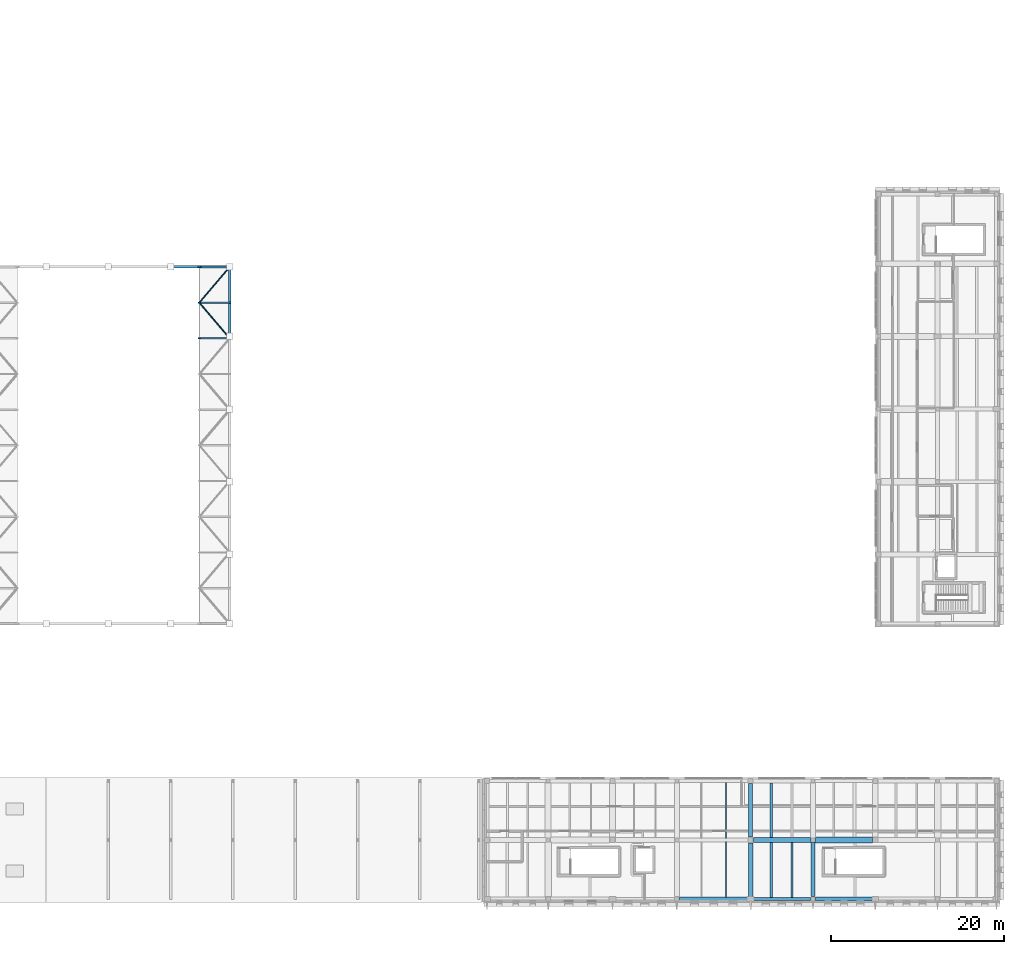
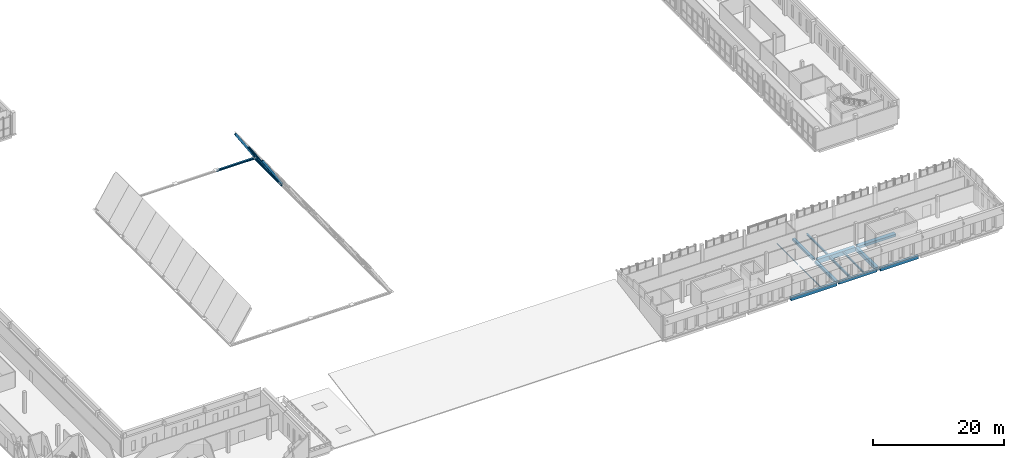
# One storey, part 20 of 56: 16 beams, 5 members.
"""IFC4 building model written with IfcOpenShell, lengths in metres."""

import ifcopenshell
import ifcopenshell.guid

model = None  # the IFC model being written
_history = None  # IfcOwnerHistory: only IFC2X3 demands one
_inside = {}  # id of a spatial element -> (the spatial element, [elements in it])
_under = {}  # id of a project, library or spatial element -> (it, [spatial elements below it])
_declared = {}  # id of a project -> (the project, [libraries it declares])
_typed = {}  # id of a type object -> (the type object, [elements of that type])
_made_of = {}  # id of a material, layer set ... -> (it, [elements and type objects made of it])


def new_model(schema):
    """Start an empty IFC model of exactly this schema.

    Asked for "IFC4X3", IfcOpenShell would pick the latest addendum, in which some entities
    have other attributes; the version numbers below select the first issue.
    IFC2X3 requires an IfcOwnerHistory on every rooted entity: one is made here for all.
    """
    global model, _history
    if schema == "IFC4X3":
        model = ifcopenshell.file(schema_version=(4, 3, 0, 0))
    else:
        model = ifcopenshell.file(schema=schema)
    _inside.clear()
    _under.clear()
    _declared.clear()
    _typed.clear()
    _made_of.clear()
    _history = None
    if model.schema == "IFC2X3":
        org = make("IfcOrganization", Name="unknown")
        user = make(
            "IfcPersonAndOrganization",
            ThePerson=make("IfcPerson", FamilyName="unknown"),
            TheOrganization=org,
        )
        app = make(
            "IfcApplication",
            ApplicationDeveloper=org,
            Version="unknown",
            ApplicationFullName="unknown",
            ApplicationIdentifier="unknown",
        )
        _history = make(
            "IfcOwnerHistory",
            OwningUser=user,
            OwningApplication=app,
            ChangeAction="ADDED",
            CreationDate=0,
        )
    return model


def make(cls, **values):
    """One entity of the class cls with the attributes given. An attribute that is None is left unset."""
    return model.create_entity(
        cls, **{name: value for name, value in values.items() if value is not None}
    )


def rooted(cls, **values):
    """An entity with a GlobalId (a new one), such as an element, a storey or a relation."""
    return make(cls, GlobalId=ifcopenshell.guid.new(), OwnerHistory=_history, **values)


def si_unit(unit_type, name, prefix=None):
    """IfcSIUnit, for example si_unit("LENGTHUNIT", "METRE", prefix="MILLI")."""
    return make("IfcSIUnit", UnitType=unit_type, Prefix=prefix, Name=name)


def assignment(units):
    """IfcUnitAssignment: the units of a project."""
    return None if units is None else make("IfcUnitAssignment", Units=units)


def point(xyz):
    """IfcCartesianPoint."""
    return None if xyz is None else make("IfcCartesianPoint", Coordinates=xyz)


def direction(xyz):
    """IfcDirection."""
    return None if xyz is None else make("IfcDirection", DirectionRatios=xyz)


def frame(location, z_axis=None, x_axis=None):
    """IfcAxis2Placement3D, a coordinate frame: its origin and axes. An axis left out is left unset."""
    return make(
        "IfcAxis2Placement3D",
        Location=point(location),
        Axis=direction(z_axis),
        RefDirection=direction(x_axis),
    )


def frame_2d(location, x_axis=None):
    """IfcAxis2Placement2D, a coordinate frame in the plane: its origin and x axis."""
    return make(
        "IfcAxis2Placement2D", Location=point(location), RefDirection=direction(x_axis)
    )


def origin():
    """The frame at (0, 0, 0) with its axes left unset."""
    return frame((0.0, 0.0, 0.0))


def origin_2d():
    """The frame at (0, 0) in the plane with its x axis left unset."""
    return frame_2d((0.0, 0.0))


def place(relative_to, where):
    """IfcLocalPlacement: puts the frame where relative to a parent placement (None: the world)."""
    return make(
        "IfcLocalPlacement", PlacementRelTo=relative_to, RelativePlacement=where
    )


def context(
    kind, dimensions, precision=None, world=None, true_north=None, identifier=None
):
    """IfcGeometricRepresentationContext, for example the 3D "Model" context."""
    return make(
        "IfcGeometricRepresentationContext",
        ContextIdentifier=identifier,
        ContextType=kind,
        CoordinateSpaceDimension=dimensions,
        Precision=precision,
        WorldCoordinateSystem=world,
        TrueNorth=true_north,
    )


def subcontext(parent, identifier, kind, view, scale=None):
    """IfcGeometricRepresentationSubContext, for example "Body" below "Model"."""
    return make(
        "IfcGeometricRepresentationSubContext",
        ContextIdentifier=identifier,
        ContextType=kind,
        ParentContext=parent,
        TargetScale=scale,
        TargetView=view,
    )


def project(units=None, contexts=None):
    """IfcProject with its units and contexts."""
    return rooted(
        "IfcProject",
        Name="project",
        RepresentationContexts=contexts,
        UnitsInContext=assignment(units),
    )


def spatial(cls, under=None, at=None, **own):
    """A site, building, storey or space (cls), placed at a placement, below another one or the project."""
    s = rooted(cls, ObjectPlacement=at, **own)
    if under is not None:
        _under.setdefault(under.id(), (under, []))[1].append(s)
    return s


def profile(cls, at=None, kind="AREA", **sizes):
    """A parametric profile (cls). Its sizes go by their IFC names, for example OverallWidth=200.0."""
    return make(cls, ProfileType=kind, Position=at, **sizes)


def rectangle(**sizes):
    """IfcRectangleProfileDef."""
    return profile("IfcRectangleProfileDef", **sizes)


def hollow_rectangle(**sizes):
    """IfcRectangleHollowProfileDef."""
    return profile("IfcRectangleHollowProfileDef", **sizes)


def hollow_circle(**sizes):
    """IfcCircleHollowProfileDef."""
    return profile("IfcCircleHollowProfileDef", **sizes)


def i_section(**sizes):
    """IfcIShapeProfileDef."""
    return profile("IfcIShapeProfileDef", **sizes)


def extrude(swept, where, along, depth):
    """IfcExtrudedAreaSolid: the profile swept, set in the frame where, extruded along a direction by depth."""
    return make(
        "IfcExtrudedAreaSolid",
        SweptArea=swept,
        Position=where,
        ExtrudedDirection=direction(along),
        Depth=depth,
    )


def shape(context_of_items, identifier, shape_type, items):
    """IfcShapeRepresentation: the items that make up one representation, for example the "Body"."""
    return make(
        "IfcShapeRepresentation",
        ContextOfItems=context_of_items,
        RepresentationIdentifier=identifier,
        RepresentationType=shape_type,
        Items=items,
    )


def material(Name=None, Category=None):
    """IfcMaterial."""
    return make("IfcMaterial", Name=Name, Category=Category)


def material_profile(
    of_material, cross_section, Name=None, Category=None, Priority=None
):
    """IfcMaterialProfile: a cross section and its material."""
    return make(
        "IfcMaterialProfile",
        Name=Name,
        Material=of_material,
        Profile=cross_section,
        Priority=Priority,
        Category=Category,
    )


def profile_set(profiles, Name=None, composite=None):
    """IfcMaterialProfileSet."""
    return make(
        "IfcMaterialProfileSet",
        Name=Name,
        MaterialProfiles=profiles,
        CompositeProfile=composite,
    )


def made_of(thing, what):
    """Note that an element or type object is made of a material, layer set ...; save() writes the relation."""
    if what is not None:
        _made_of.setdefault(what.id(), (what, []))[1].append(thing)
    return thing


def type_object(cls, material=None, **own):
    """A type object (cls), such as IfcWallType, which elements share."""
    return made_of(rooted(cls, **own), material)


def element(
    cls,
    number,
    at=None,
    inside=None,
    cuts=None,
    type_object=None,
    material=None,
    context=None,
    identifier="Body",
    shape_type=None,
    held_by="IfcProductDefinitionShape",
    body=None,
    shapes=None,
    **own,
):
    """One element of the class cls, such as IfcWall. Its Tag is "e" and its number.

    at: its placement. inside: the storey or other place that contains it. cuts: it is an
    opening in that element (IfcRelVoidsElement). A single representation is given by context,
    identifier, shape_type and body (its items); several are given by shapes. held_by: the class
    of the entity that holds the representations. save() writes the other relations.
    """
    e = rooted(cls, Tag="e%d" % number, ObjectPlacement=at, **own)
    if body is not None:
        shapes = [shape(context, identifier, shape_type, body)]
    if shapes is not None:
        e.Representation = make(held_by, Representations=shapes)
    if inside is not None:
        _inside.setdefault(inside.id(), (inside, []))[1].append(e)
    if cuts is not None:
        rooted(
            "IfcRelVoidsElement", RelatingBuildingElement=cuts, RelatedOpeningElement=e
        )
    if type_object is not None:
        _typed.setdefault(type_object.id(), (type_object, []))[1].append(e)
    return made_of(e, material)


def aggregate(whole, parts):
    """IfcRelAggregates: a whole, such as a stair, and the parts it consists of."""
    return rooted("IfcRelAggregates", RelatingObject=whole, RelatedObjects=parts)


def save(model, path):
    """Write the relations noted so far, then the file.

    IfcRelAggregates (storeys below a building ...), IfcRelContainedInSpatialStructure (elements
    in a storey), IfcRelDefinesByType, IfcRelAssociatesMaterial and IfcRelDeclares: one each for
    every whole, place, type object, material and project.
    """
    for whole, parts in _under.values():
        aggregate(whole, parts)
    for where, things in _inside.values():
        rooted(
            "IfcRelContainedInSpatialStructure",
            RelatedElements=things,
            RelatingStructure=where,
        )
    for kind, things in _typed.values():
        rooted("IfcRelDefinesByType", RelatedObjects=things, RelatingType=kind)
    for what, things in _made_of.values():
        rooted("IfcRelAssociatesMaterial", RelatedObjects=things, RelatingMaterial=what)
    for by, libraries in _declared.values():
        rooted("IfcRelDeclares", RelatingContext=by, RelatedDefinitions=libraries)
    model.write(path)


model = new_model("IFC4")

# Units and contexts
model_context = context("Model", 3, precision=1e-05, world=origin(), true_north=direction((0.0, 1.0)))
body_context = subcontext(model_context, "Body", "Model", "MODEL_VIEW")
ifc_project = project(units=[si_unit("LENGTHUNIT", "METRE"), si_unit("AREAUNIT", "SQUARE_METRE"), si_unit("VOLUMEUNIT", "CUBIC_METRE"), si_unit("PLANEANGLEUNIT", "RADIAN"), si_unit("MASSUNIT", "GRAM", prefix="KILO")], contexts=[model_context])

# Site, building, storey
site_placement = place(None, origin())
site = spatial("IfcSite", under=ifc_project, at=site_placement, CompositionType="ELEMENT")
building_placement = place(site_placement, origin())
building = spatial("IfcBuilding", under=site, at=building_placement, Name="Vardoun Plaza Health Centre", CompositionType="ELEMENT")
storey_placement = place(building_placement, frame((0.0, 0.0, 8.699951171875)))
storey = spatial("IfcBuildingStorey", under=building, at=storey_placement, Name="L02", CompositionType="ELEMENT", Elevation=8.699951171875)

# Beams
ifc_material_1 = material(Name="Concrete C35/45", Category="concrete")
ifc_material_profile_1 = material_profile(ifc_material_1, rectangle(XDim=0.35009765625, YDim=0.5, at=origin_2d()), Name="RC-BM 350x500")
ifc_profile_set_1 = profile_set([ifc_material_profile_1], Name="Concrete C35/45")
beam_type_1 = type_object("IfcBeamType", Name="B-08", PredefinedType="SPANDREL", material=ifc_profile_set_1)
beam_1_placement = place(storey_placement, frame((136.699951171875, 4.8798828125, -0.544921875), z_axis=(1.0, 0.0, 0.0), x_axis=(0.0, 1.0, 0.0)))
element("IfcBeam", 1, at=beam_1_placement, inside=storey, type_object=beam_type_1, Name="V5 L02 Beam B-V5-L02-X13", PredefinedType="SPANDREL", context=body_context, shape_type="SweptSolid", body=[
    extrude(rectangle(XDim=0.35009765625, YDim=0.5, at=origin_2d()), origin(), (0.0, 0.0, 1.0), 6.72509765625),
])
ifc_material_2 = material(Name="Concrete C35/45", Category="concrete")
ifc_material_profile_2 = material_profile(ifc_material_2, rectangle(XDim=0.419921875, YDim=0.580078125, at=origin_2d()), Name="RC-BM 420x580")
ifc_profile_set_2 = profile_set([ifc_material_profile_2], Name="Concrete C35/45")
beam_type_2 = type_object("IfcBeamType", Name="B-10", PredefinedType="SPANDREL", material=ifc_profile_set_2)
beam_2_placement = place(storey_placement, frame((143.97509765625, 4.8798828125, -0.5849609375), z_axis=(1.0, 0.0, 0.0), x_axis=(0.0, 1.0, 0.0)))
element("IfcBeam", 2, at=beam_2_placement, inside=storey, type_object=beam_type_2, Name="V5 L02 Beam B-V5-L02-X16", PredefinedType="SPANDREL", context=body_context, shape_type="SweptSolid", body=[
    extrude(rectangle(XDim=0.419921875, YDim=0.580078125, at=origin_2d()), origin(), (0.0, 0.0, 1.0), 6.724853515625),
])
ifc_material_3 = material(Name="Concrete C35/45", Category="concrete")
ifc_material_profile_3 = material_profile(ifc_material_3, rectangle(XDim=0.449951171875, YDim=0.3798828125, at=origin_2d()), Name="RC-BM 450x380")
ifc_profile_set_3 = profile_set([ifc_material_profile_3], Name="Concrete C35/45")
beam_type_3 = type_object("IfcBeamType", Name="B-01", PredefinedType="BEAM", material=ifc_profile_set_3)
beam_3_placement = place(storey_placement, frame((136.5, 12.02490234375, -0.48486328125), z_axis=(0.0, 1.0, 0.0), x_axis=(-1.0, 0.0, 0.0)))
element("IfcBeam", 3, at=beam_3_placement, inside=storey, type_object=beam_type_3, Name="V5 L02 Beam B-V5-L02-Y33", PredefinedType="BEAM", context=body_context, shape_type="SweptSolid", body=[
    extrude(rectangle(XDim=0.449951171875, YDim=0.3798828125, at=origin_2d()), origin(), (0.0, 0.0, 1.0), 6.195068359375),
])
ifc_material_4 = material(Name="Concrete C35/45", Category="concrete")
ifc_material_profile_4 = material_profile(ifc_material_4, rectangle(XDim=0.449951171875, YDim=0.60009765625, at=origin_2d()), Name="RC-BM 450x600")
ifc_profile_set_4 = profile_set([ifc_material_profile_4], Name="Concrete C35/45")
beam_type_4 = type_object("IfcBeamType", Name="B-11", PredefinedType="SPANDREL", material=ifc_profile_set_4)
beam_4_placement = place(storey_placement, frame((128.2548828125, 4.8798828125, -0.594970703125), z_axis=(1.0, 0.0, 0.0), x_axis=(0.0, 1.0, 0.0)))
element("IfcBeam", 4, at=beam_4_placement, inside=storey, type_object=beam_type_4, Name="V5 L02 Beam B-V5-L02-X10", PredefinedType="SPANDREL", context=body_context, shape_type="SweptSolid", body=[
    extrude(rectangle(XDim=0.449951171875, YDim=0.60009765625, at=origin_2d()), origin(), (0.0, 0.0, 1.0), 8.045166015625),
])
ifc_material_5 = material(Name="Concrete C35/45", Category="concrete")
ifc_material_profile_5 = material_profile(ifc_material_5, rectangle(XDim=0.5, YDim=0.39990234375, at=origin_2d()), Name="RC-BM 500x400")
ifc_profile_set_5 = profile_set([ifc_material_profile_5], Name="Concrete C35/45")
beam_type_5 = type_object("IfcBeamType", Name="B-02", PredefinedType="BEAM", material=ifc_profile_set_5)
beam_5_placement = place(storey_placement, frame((136.5, 5.080078125, -0.494873046875), z_axis=(0.0, 1.0, 0.0), x_axis=(-1.0, 0.0, 0.0)))
element("IfcBeam", 5, at=beam_5_placement, inside=storey, type_object=beam_type_5, Name="V5 L02 Beam B-V5-L02-Y32", PredefinedType="BEAM", context=body_context, shape_type="SweptSolid", body=[
    extrude(rectangle(XDim=0.5, YDim=0.39990234375, at=origin_2d()), origin(), (0.0, 0.0, 1.0), 6.294921875),
])
ifc_material_6 = material(Name="Concrete C40/50", Category="concrete")
ifc_material_profile_6 = material_profile(ifc_material_6, rectangle(XDim=0.5, YDim=0.64990234375, at=origin_2d()), Name="RC-BM 500x650")
ifc_profile_set_6 = profile_set([ifc_material_profile_6], Name="Concrete C40/50")
beam_type_6 = type_object("IfcBeamType", Name="B-13", PredefinedType="BEAM", material=ifc_profile_set_6)
beam_6_placement = place(storey_placement, frame((143.699951171875, 5.155029296875, -0.619873046875), z_axis=(0.0, 1.0, 0.0), x_axis=(-1.0, 0.0, 0.0)))
element("IfcBeam", 6, at=beam_6_placement, inside=storey, type_object=beam_type_6, Name="V5 L02 Beam B-V5-L02-Y34", PredefinedType="BEAM", context=body_context, shape_type="SweptSolid", body=[
    extrude(rectangle(XDim=0.5, YDim=0.64990234375, at=origin_2d()), origin(), (0.0, 0.0, 1.0), 6.294921875),
])
ifc_material_7 = material(Name="Concrete C40/50", Category="concrete")
ifc_material_profile_7 = material_profile(ifc_material_7, rectangle(XDim=0.60009765625, YDim=0.800048828125, at=origin_2d()), Name="RC-BM 600x800")
ifc_profile_set_7 = profile_set([ifc_material_profile_7], Name="Concrete C40/50")
beam_type_7 = type_object("IfcBeamType", Name="B-15", PredefinedType="JOIST", material=ifc_profile_set_7)
beam_7_placement = place(storey_placement, frame((136.824951171875, 11.699951171875, -0.695068359375), z_axis=(1.0, 0.0, 0.0), x_axis=(0.0, 1.0, 0.0)))
element("IfcBeam", 7, at=beam_7_placement, inside=storey, type_object=beam_type_7, Name="V5 L02 Beam B-V5-L02-X14", PredefinedType="JOIST", context=body_context, shape_type="SweptSolid", body=[
    extrude(rectangle(XDim=0.60009765625, YDim=0.800048828125, at=origin_2d()), origin(), (0.0, 0.0, 1.0), 6.625),
])
ifc_material_8 = material(Name="Concrete C35/45", Category="concrete")
ifc_material_profile_8 = material_profile(ifc_material_8, rectangle(XDim=0.699951171875, YDim=0.449951171875, at=origin_2d()), Name="RC-BM 700x450")
ifc_profile_set_8 = profile_set([ifc_material_profile_8], Name="Concrete C35/45")
beam_type_8 = type_object("IfcBeamType", Name="B-06", PredefinedType="BEAM", material=ifc_profile_set_8)
beam_8_placement = place(storey_placement, frame((143.949951171875, 11.699951171875, -0.52001953125), z_axis=(1.0, 0.0, 0.0), x_axis=(0.0, 1.0, 0.0)))
element("IfcBeam", 8, at=beam_8_placement, inside=storey, type_object=beam_type_8, Name="V5 L02 Beam B-V5-L02-X17", PredefinedType="BEAM", context=body_context, shape_type="SweptSolid", body=[
    extrude(rectangle(XDim=0.699951171875, YDim=0.449951171875, at=origin_2d()), origin(), (0.0, 0.0, 1.0), 6.625),
])
ifc_material_9 = material(Name="Steel S355J2", Category="steel")
ifc_material_profile_9 = material_profile(ifc_material_9, i_section(OverallWidth=0.239990234375, OverallDepth=0.22998046875, WebThickness=0.007568359375, FlangeThickness=0.011962890625, FilletRadius=0.02099609375, at=origin_2d()), Name="HEA 240")
ifc_profile_set_9 = profile_set([ifc_material_profile_9], Name="Steel S355J2")
beam_type_9 = type_object("IfcBeamType", Name="SB-07", PredefinedType="BEAM", material=ifc_profile_set_9)
beam_9_placement = place(storey_placement, frame((141.30029296875, 5.054931640625, -0.409912109375), z_axis=(0.0, 1.0, 0.0), x_axis=(-1.0, 0.0, 0.0)))
element("IfcBeam", 9, at=beam_9_placement, inside=storey, type_object=beam_type_9, Name="V5 L02 Secondary Floor Beam SJ-V5-L02-15", PredefinedType="BEAM", context=body_context, shape_type="SweptSolid", body=[
    extrude(i_section(OverallWidth=0.239990234375, OverallDepth=0.22998046875, WebThickness=0.007568359375, FlangeThickness=0.011962890625, FilletRadius=0.02099609375, at=origin_2d()), origin(), (0.0, 0.0, 1.0), 6.344970703125),
])
ifc_material_10 = material(Name="Steel S355J2", Category="steel")
ifc_material_profile_10 = material_profile(ifc_material_10, i_section(OverallWidth=0.280029296875, OverallDepth=0.27001953125, WebThickness=0.008056640625, FlangeThickness=0.012939453125, FilletRadius=0.02392578125, at=origin_2d()), Name="HEA 280")
ifc_profile_set_10 = profile_set([ifc_material_profile_10], Name="Steel S355J2")
beam_type_10 = type_object("IfcBeamType", Name="SB-06", PredefinedType="BEAM", material=ifc_profile_set_10)
beam_10_placement = place(storey_placement, frame((138.89990234375, 12.0, -0.429931640625), z_axis=(0.0, 1.0, 0.0), x_axis=(-1.0, 0.0, 0.0)))
element("IfcBeam", 10, at=beam_10_placement, inside=storey, type_object=beam_type_10, Name="V5 L02 Secondary Floor Beam SJ-V5-L02-14", PredefinedType="BEAM", context=body_context, shape_type="SweptSolid", body=[
    extrude(i_section(OverallWidth=0.280029296875, OverallDepth=0.27001953125, WebThickness=0.008056640625, FlangeThickness=0.012939453125, FilletRadius=0.02392578125, at=origin_2d()), origin(), (0.0, 0.0, 1.0), 6.294921875),
])
ifc_material_11 = material(Name="Steel S355J2", Category="steel")
ifc_material_profile_11 = material_profile(ifc_material_11, i_section(OverallWidth=0.300048828125, OverallDepth=0.330078125, WebThickness=0.009521484375, FlangeThickness=0.0166015625, FilletRadius=0.027099609375, at=origin_2d()), Name="HEA 340")
ifc_profile_set_11 = profile_set([ifc_material_profile_11], Name="Steel S355J2")
beam_type_11 = type_object("IfcBeamType", Name="SB-04", PredefinedType="BEAM", material=ifc_profile_set_11)
beam_11_placement = place(storey_placement, frame((138.89990234375, 5.054931640625, -0.4599609375), z_axis=(0.0, 1.0, 0.0), x_axis=(-1.0, 0.0, 0.0)))
element("IfcBeam", 11, at=beam_11_placement, inside=storey, type_object=beam_type_11, Name="V5 L02 Secondary Floor Beam SJ-V5-L02-13", PredefinedType="BEAM", context=body_context, shape_type="SweptSolid", body=[
    extrude(i_section(OverallWidth=0.300048828125, OverallDepth=0.330078125, WebThickness=0.009521484375, FlangeThickness=0.0166015625, FilletRadius=0.027099609375, at=origin_2d()), origin(), (0.0, 0.0, 1.0), 6.344970703125),
])
ifc_material_12 = material(Name="Steel S355J2", Category="steel")
ifc_material_profile_12 = material_profile(ifc_material_12, i_section(OverallWidth=0.300048828125, OverallDepth=0.300048828125, WebThickness=0.010986328125, FlangeThickness=0.01904296875, FilletRadius=0.027099609375, at=origin_2d()), Name="HEB 300")
ifc_profile_set_12 = profile_set([ifc_material_profile_12], Name="Steel S355J2")
beam_type_12 = type_object("IfcBeamType", Name="SB-01", PredefinedType="BEAM", material=ifc_profile_set_12)
beam_12_placement = place(storey_placement, frame((69.47998046875, 77.919921875, -0.5), z_axis=(1.0, 0.0, 0.0), x_axis=(0.0, 1.0, 0.0)))
element("IfcBeam", 12, at=beam_12_placement, inside=storey, type_object=beam_type_12, Name="Gridshell Gable Tie Beam N04", PredefinedType="BEAM", context=body_context, shape_type="SweptSolid", body=[
    extrude(i_section(OverallWidth=0.300048828125, OverallDepth=0.300048828125, WebThickness=0.010986328125, FlangeThickness=0.01904296875, FilletRadius=0.027099609375, at=origin_2d()), origin(), (0.0, 0.0, 1.0), 6.820068359375),
])
ifc_material_13 = material(Name="Steel S355J2", Category="steel")
ifc_material_profile_13 = material_profile(ifc_material_13, i_section(OverallWidth=0.300048828125, OverallDepth=0.449951171875, WebThickness=0.013916015625, FlangeThickness=0.02587890625, FilletRadius=0.027099609375, at=origin_2d()), Name="HEB 450")
ifc_profile_set_13 = profile_set([ifc_material_profile_13], Name="Steel S355J2")
beam_type_13 = type_object("IfcBeamType", Name="RB-02", PredefinedType="BEAM", material=ifc_profile_set_13)
beam_13_placement = place(storey_placement, frame((76.300048828125, 69.672119140625, -0.550048828125), z_axis=(0.0, 1.0, 0.0), x_axis=(-1.0, 0.0, 0.0)))
element("IfcBeam", 13, at=beam_13_placement, inside=storey, type_object=beam_type_13, Name="Gridshell Ring Beam E09", PredefinedType="BEAM", context=body_context, shape_type="SweptSolid", body=[
    extrude(i_section(OverallWidth=0.300048828125, OverallDepth=0.449951171875, WebThickness=0.013916015625, FlangeThickness=0.02587890625, FilletRadius=0.027099609375, at=origin_2d()), origin(), (0.0, 0.0, 1.0), 4.123779296875),
])
beam_14_placement = place(storey_placement, frame((76.300048828125, 73.7958984375, -0.550048828125), z_axis=(0.0, 1.0, 0.0), x_axis=(-1.0, 0.0, 0.0)))
element("IfcBeam", 14, at=beam_14_placement, inside=storey, type_object=beam_type_13, Name="Gridshell Ring Beam E10", PredefinedType="BEAM", context=body_context, shape_type="SweptSolid", body=[
    extrude(i_section(OverallWidth=0.300048828125, OverallDepth=0.449951171875, WebThickness=0.013916015625, FlangeThickness=0.02587890625, FilletRadius=0.027099609375, at=origin_2d()), origin(), (0.0, 0.0, 1.0), 4.1240234375),
])
ifc_material_14 = material(Name="Steel S355J2", Category="steel")
ifc_material_profile_14 = material_profile(ifc_material_14, i_section(OverallWidth=0.091064453125, OverallDepth=0.179931640625, WebThickness=0.00537109375, FlangeThickness=0.008056640625, FilletRadius=0.009033203125, at=origin_2d()), Name="IPE 180")
ifc_profile_set_14 = profile_set([ifc_material_profile_14], Name="Steel S355J2")
beam_type_14 = type_object("IfcBeamType", Name="SB-20", PredefinedType="SPANDREL", material=ifc_profile_set_14)
beam_15_placement = place(storey_placement, frame((133.660400390625, 11.925048828125, -0.385009765625), z_axis=(0.0, 1.0, 0.0), x_axis=(-1.0, 0.0, 0.0)))
element("IfcBeam", 15, at=beam_15_placement, inside=storey, type_object=beam_type_14, Name="V5 L02 Secondary Floor Beam SJ-V5-L02-12", PredefinedType="SPANDREL", context=body_context, shape_type="SweptSolid", body=[
    extrude(i_section(OverallWidth=0.091064453125, OverallDepth=0.179931640625, WebThickness=0.00537109375, FlangeThickness=0.008056640625, FilletRadius=0.009033203125, at=origin_2d()), origin(), (0.0, 0.0, 1.0), 6.39501953125),
])
ifc_material_15 = material(Name="Steel S355J2", Category="steel")
ifc_material_profile_15 = material_profile(ifc_material_15, i_section(OverallWidth=0.10009765625, OverallDepth=0.199951171875, WebThickness=0.005615234375, FlangeThickness=0.008544921875, FilletRadius=0.011962890625, at=origin_2d()), Name="IPE 200")
ifc_profile_set_15 = profile_set([ifc_material_profile_15], Name="Steel S355J2")
beam_type_15 = type_object("IfcBeamType", Name="SB-19", PredefinedType="SPANDREL", material=ifc_profile_set_15)
beam_16_placement = place(storey_placement, frame((133.660400390625, 5.10498046875, -0.39501953125), z_axis=(0.0, 1.0, 0.0), x_axis=(-1.0, 0.0, 0.0)))
element("IfcBeam", 16, at=beam_16_placement, inside=storey, type_object=beam_type_15, Name="V5 L02 Secondary Floor Beam SJ-V5-L02-11", PredefinedType="SPANDREL", context=body_context, shape_type="SweptSolid", body=[
    extrude(i_section(OverallWidth=0.10009765625, OverallDepth=0.199951171875, WebThickness=0.005615234375, FlangeThickness=0.008544921875, FilletRadius=0.011962890625, at=origin_2d()), origin(), (0.0, 0.0, 1.0), 6.3701171875),
])

# Members
ifc_material_16 = material(Name="Steel S355J2H", Category="steel")
ifc_material_profile_16 = material_profile(ifc_material_16, hollow_rectangle(XDim=0.199951171875, YDim=0.39990234375, WallThickness=0.012451171875, at=origin_2d()), Name="RHS 400x200x12.5")
ifc_profile_set_16 = profile_set([ifc_material_profile_16], Name="Steel S355J2H")
member_type_1 = type_object("IfcMemberType", Name="GS-A1", PredefinedType="CHORD", material=ifc_profile_set_16)
member_1_placement = place(storey_placement, frame((76.300048828125, 77.919921875, -0.300048828125), z_axis=(-0.536553831732, 0.0, 0.843866094623), x_axis=(0.0, -1.0, 0.0)))
element("IfcMember", 17, at=member_1_placement, inside=storey, type_object=member_type_1, Name="Gridshell Arch Rib GA-11-08", PredefinedType="CHORD", context=body_context, shape_type="SweptSolid", body=[
    extrude(hollow_rectangle(XDim=0.199951171875, YDim=0.39990234375, WallThickness=0.012451171875, at=origin_2d()), origin(), (0.0, 0.0, 1.0), 6.53271484375),
])
ifc_material_17 = material(Name="Steel S355J2H", Category="steel")
ifc_material_profile_17 = material_profile(ifc_material_17, hollow_rectangle(XDim=0.14990234375, YDim=0.35009765625, WallThickness=0.010009765625, at=origin_2d()), Name="RHS 350x150x10.0")
ifc_profile_set_17 = profile_set([ifc_material_profile_17], Name="Steel S355J2H")
member_type_2 = type_object("IfcMemberType", Name="GS-A2", PredefinedType="CHORD", material=ifc_profile_set_17)
for number, where, z_axis, x_axis, name in (
    (18, (76.300048828125, 69.672119140625, -0.300048828125), (-0.536553831732, 0.0, 0.843866094623), (0.0, -1.0, 0.0), "Gridshell Arch Rib GA-09-08"),
    (19, (76.300048828125, 73.7958984375, -0.300048828125), (-0.536553831732, 0.0, 0.843866094623), (0.0, -1.0, 0.0), "Gridshell Arch Rib GA-10-08"),
):
    element("IfcMember", number, at=place(storey_placement, frame(where, z_axis=z_axis, x_axis=x_axis)), inside=storey, type_object=member_type_2, Name=name, PredefinedType="CHORD", context=body_context, shape_type="SweptSolid", body=[
        extrude(hollow_rectangle(XDim=0.14990234375, YDim=0.35009765625, WallThickness=0.010009765625, at=origin_2d()), origin(), (0.0, 0.0, 1.0), 6.53271484375),
    ])
ifc_material_18 = material(Name="Steel S355J2H", Category="steel")
ifc_material_profile_18 = material_profile(ifc_material_18, hollow_circle(Radius=0.0888671875, WallThickness=0.008056640625, at=origin_2d()), Name="CHS 177.8x8.0")
ifc_profile_set_18 = profile_set([ifc_material_profile_18], Name="Steel S355J2H")
member_type_3 = type_object("IfcMemberType", Name="GS-D4", PredefinedType="BRACE", material=ifc_profile_set_18)
member_2_placement = place(storey_placement, frame((76.300048828125, 69.672119140625, -0.300048828125), z_axis=(-0.453716618831, 0.533797270229, 0.713583705036), x_axis=(-0.761947108776, -0.647639254082, 0.0)))
element("IfcMember", 20, at=member_2_placement, inside=storey, type_object=member_type_3, Name="Gridshell Diagonal GD-09-08", PredefinedType="BRACE", context=body_context, shape_type="SweptSolid", body=[
    extrude(hollow_circle(Radius=0.0888671875, WallThickness=0.008056640625, at=origin_2d()), origin(), (0.0, 0.0, 1.0), 7.725341796875),
])
ifc_material_19 = material(Name="Steel S355J2H", Category="steel")
ifc_material_profile_19 = material_profile(ifc_material_19, hollow_circle(Radius=0.084228515625, WallThickness=0.008056640625, at=origin_2d()), Name="CHS 168.3x8.0")
ifc_profile_set_19 = profile_set([ifc_material_profile_19], Name="Steel S355J2H")
member_type_4 = type_object("IfcMemberType", Name="GS-D5", PredefinedType="BRACE", material=ifc_profile_set_19)
member_3_placement = place(storey_placement, frame((76.300048828125, 77.919921875, -0.300048828125), z_axis=(-0.453708964911, -0.533819867332, 0.713571667319), x_axis=(0.761966028439, -0.647616994453, 0.0)))
element("IfcMember", 21, at=member_3_placement, inside=storey, type_object=member_type_4, Name="Gridshell Diagonal GD-10-08", PredefinedType="BRACE", context=body_context, shape_type="SweptSolid", body=[
    extrude(hollow_circle(Radius=0.084228515625, WallThickness=0.008056640625, at=origin_2d()), origin(), (0.0, 0.0, 1.0), 7.7255859375),
])

save(model, "model.ifc")
